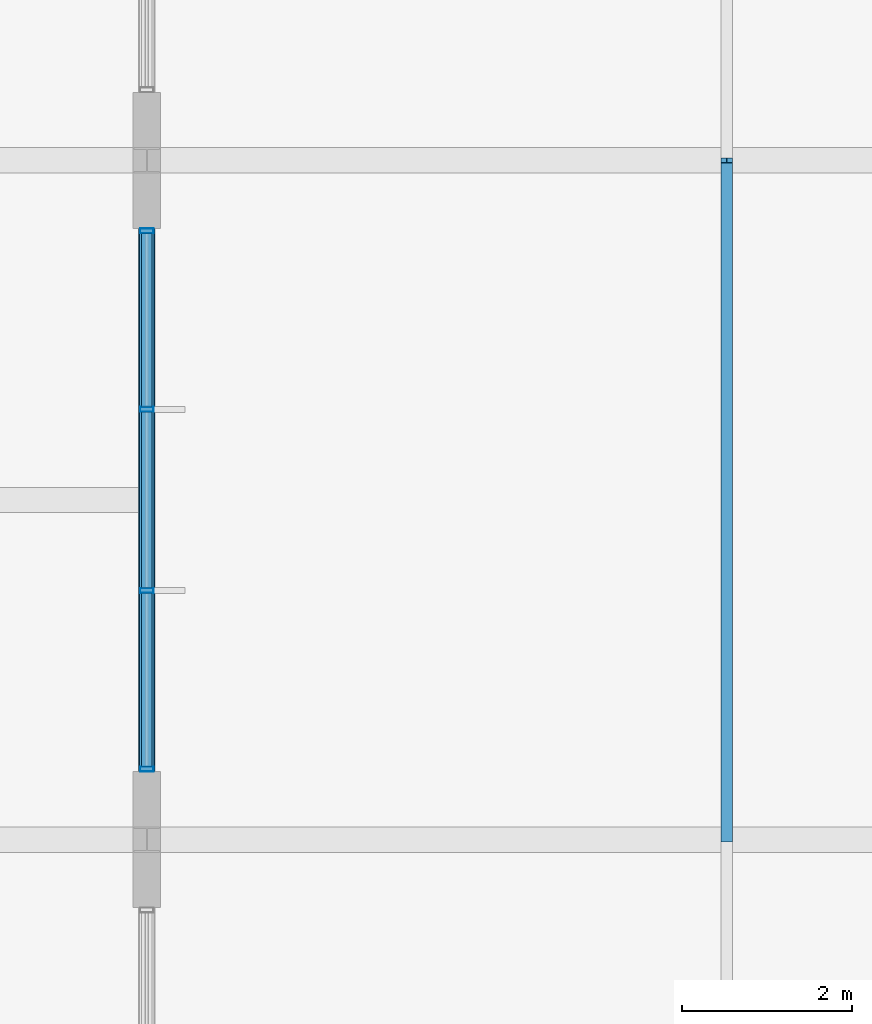
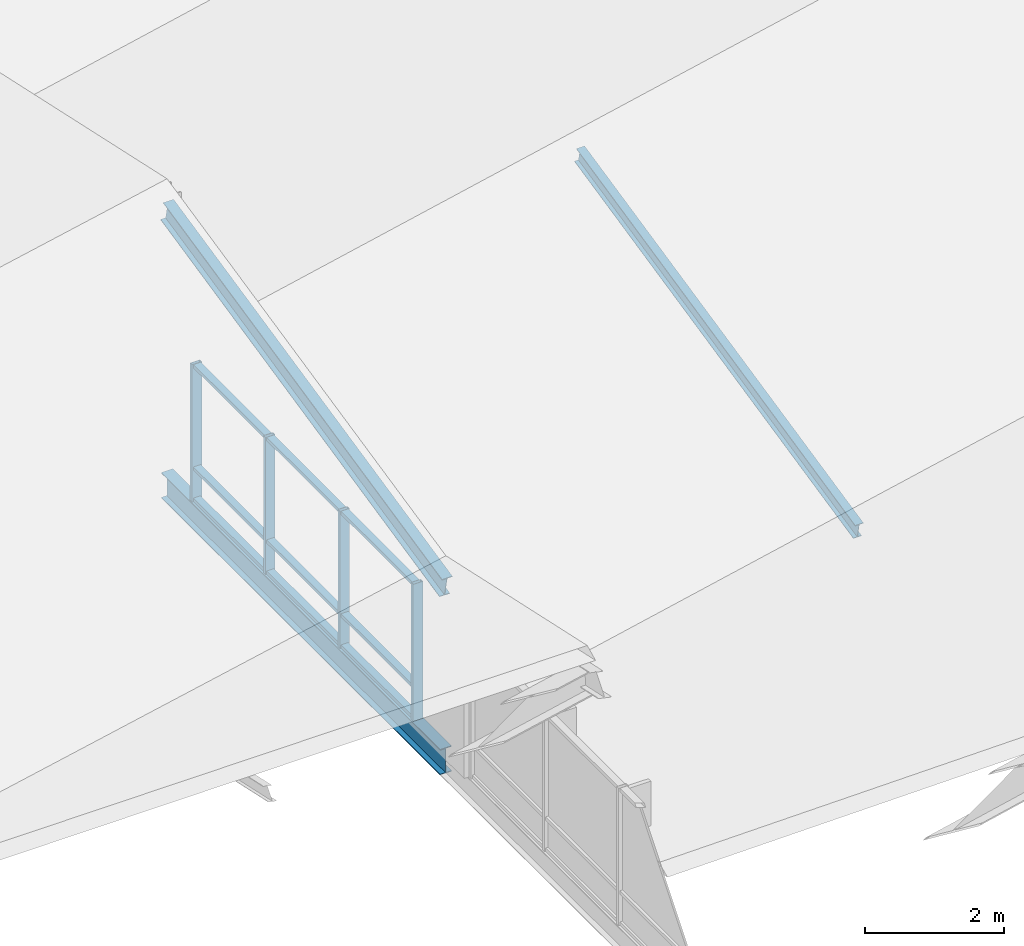
# One storey, part 46 of 109: 14 members, 2 beams, 1 element without a shape of its own.
"""IFC4 building model written with IfcOpenShell, lengths in metres."""

from ifc_helpers import new_model, si_unit, direction, frame, origin, origin_2d, place, context, subcontext, project, spatial, hollow_rectangle, i_section, extrude, material, material_profile, profile_set, type_object, element, aggregate, save


model = new_model("IFC4")

# Units and contexts
model_context = context("Model", 3, precision=1e-05, world=origin(), true_north=direction((0.0, 1.0)))
body_context = subcontext(model_context, "Body", "Model", "MODEL_VIEW")
ifc_project = project(units=[si_unit("LENGTHUNIT", "METRE"), si_unit("AREAUNIT", "SQUARE_METRE"), si_unit("VOLUMEUNIT", "CUBIC_METRE"), si_unit("PLANEANGLEUNIT", "RADIAN"), si_unit("MASSUNIT", "GRAM", prefix="KILO")], contexts=[model_context])

# Site, building, storey
site_placement = place(None, origin())
site = spatial("IfcSite", under=ifc_project, at=site_placement, CompositionType="ELEMENT")
building_placement = place(site_placement, origin())
building = spatial("IfcBuilding", under=site, at=building_placement, Name="Zavelmont Quarter", CompositionType="ELEMENT")
storey_placement = place(building_placement, frame((0.0, 0.0, 8.0)))
storey = spatial("IfcBuildingStorey", under=building, at=storey_placement, Name="L02", CompositionType="ELEMENT", Elevation=8.0)

# Beams
ifc_material_1 = material(Name="Steel S355", Category="steel")
ifc_material_profile_1 = material_profile(ifc_material_1, i_section(OverallWidth=0.18994140625, OverallDepth=0.449951171875, WebThickness=0.009521484375, FlangeThickness=0.0146484375, at=origin_2d()), Name="IPE 450")
ifc_profile_set_1 = profile_set([ifc_material_profile_1], Name="Steel S355")
beam_type_1 = type_object("IfcBeamType", Name="BM12", PredefinedType="BEAM", material=ifc_profile_set_1)
beam_1_placement = place(storey_placement, frame((147.300048828125, 54.0, -0.5849609375), z_axis=(0.0, 1.0, 0.0), x_axis=(-1.0, 0.0, 0.0)))
element("IfcBeam", 1, at=beam_1_placement, inside=storey, type_object=beam_type_1, Name="L02 beam BM12 22/J to 22/K", PredefinedType="BEAM", context=body_context, shape_type="SweptSolid", body=[
    extrude(i_section(OverallWidth=0.18994140625, OverallDepth=0.449951171875, WebThickness=0.009521484375, FlangeThickness=0.0146484375, at=origin_2d()), origin(), (0.0, 0.0, 1.0), 8.0),
])
ifc_material_profile_2 = material_profile(ifc_material_1, i_section(OverallWidth=0.169921875, OverallDepth=0.360107421875, WebThickness=0.008056640625, FlangeThickness=0.0126953125, at=origin_2d()), Name="IPE 360")
ifc_profile_set_2 = profile_set([ifc_material_profile_2], Name="Steel S355")
beam_type_2 = type_object("IfcBeamType", Name="BM13", PredefinedType="BEAM", material=ifc_profile_set_2)
beam_2_placement = place(storey_placement, frame((147.300048828125, 54.0, 2.4599609375), z_axis=(0.0, 0.976900017396, 0.213696878805), x_axis=(-1.0, 0.0, 0.0)))
element("IfcBeam", 2, at=beam_2_placement, inside=storey, type_object=beam_type_2, Name="L02 beam BM13 22/J to 22/K", PredefinedType="BEAM", context=body_context, shape_type="SweptSolid", body=[
    extrude(i_section(OverallWidth=0.169921875, OverallDepth=0.360107421875, WebThickness=0.008056640625, FlangeThickness=0.0126953125, at=origin_2d()), origin(), (0.0, 0.0, 1.0), 8.189208984375),
])

# Curtain wall, members
ifc_material_2 = material(Name="Thermally broken aluminium and double low-E safety glazing", Category="aluminium")
curtain_wall_type = type_object("IfcCurtainWallType", Name="CW-640X240", PredefinedType="NOTDEFINED", material=ifc_material_2)
curtain_wall_placement = place(storey_placement, origin())
curtain_wall = element("IfcCurtainWall", 3, at=curtain_wall_placement, inside=storey, type_object=curtain_wall_type, Name="L02 unitised curtain wall CW-640X240", PredefinedType="NOTDEFINED")
ifc_material_3 = material(Name="Powder-coated aluminium EN AW-6063-T6", Category="aluminium")
ifc_material_profile_3 = material_profile(ifc_material_3, hollow_rectangle(XDim=0.06005859375, YDim=0.159912109375, WallThickness=0.00390625, at=origin_2d()), Name="CWM60X160")
ifc_profile_set_3 = profile_set([ifc_material_profile_3], Name="Powder-coated aluminium EN AW-6063-T6")
member_type_1 = type_object("IfcMemberType", Name="CWM01", PredefinedType="MULLION", material=ifc_profile_set_3)
member_1_placement = place(storey_placement, frame((147.300048828125, 54.830078125, -0.360107421875), z_axis=(0.0, 0.0, 1.0), x_axis=(0.0, 1.0, 0.0)))
member_1 = element("IfcMember", 4, at=member_1_placement, type_object=member_type_1, Name="CW-640X240 mullion 1", PredefinedType="MULLION", context=body_context, shape_type="SweptSolid", body=[
    extrude(hollow_rectangle(XDim=0.06005859375, YDim=0.159912109375, WallThickness=0.00390625, at=origin_2d()), origin(), (0.0, 0.0, 1.0), 2.400146484375),
])
member_2_placement = place(storey_placement, frame((147.300048828125, 56.933349609375, -0.360107421875), z_axis=(0.0, 0.0, 1.0), x_axis=(0.0, 1.0, 0.0)))
member_2 = element("IfcMember", 5, at=member_2_placement, type_object=member_type_1, Name="CW-640X240 mullion 2", PredefinedType="MULLION", context=body_context, shape_type="SweptSolid", body=[
    extrude(hollow_rectangle(XDim=0.06005859375, YDim=0.159912109375, WallThickness=0.00390625, at=origin_2d()), origin(), (0.0, 0.0, 1.0), 2.400146484375),
])
member_3_placement = place(storey_placement, frame((147.300048828125, 59.066650390625, -0.360107421875), z_axis=(0.0, 0.0, 1.0), x_axis=(0.0, 1.0, 0.0)))
member_3 = element("IfcMember", 6, at=member_3_placement, type_object=member_type_1, Name="CW-640X240 mullion 3", PredefinedType="MULLION", context=body_context, shape_type="SweptSolid", body=[
    extrude(hollow_rectangle(XDim=0.06005859375, YDim=0.159912109375, WallThickness=0.00390625, at=origin_2d()), origin(), (0.0, 0.0, 1.0), 2.400146484375),
])
member_4_placement = place(storey_placement, frame((147.300048828125, 61.169921875, -0.360107421875), z_axis=(0.0, 0.0, 1.0), x_axis=(0.0, 1.0, 0.0)))
member_4 = element("IfcMember", 7, at=member_4_placement, type_object=member_type_1, Name="CW-640X240 mullion 4", PredefinedType="MULLION", context=body_context, shape_type="SweptSolid", body=[
    extrude(hollow_rectangle(XDim=0.06005859375, YDim=0.159912109375, WallThickness=0.00390625, at=origin_2d()), origin(), (0.0, 0.0, 1.0), 2.400146484375),
])
ifc_material_profile_4 = material_profile(ifc_material_3, hollow_rectangle(XDim=0.1201171875, YDim=0.06005859375, WallThickness=0.00390625, at=origin_2d()), Name="CWT60X120")
ifc_profile_set_4 = profile_set([ifc_material_profile_4], Name="Powder-coated aluminium EN AW-6063-T6")
member_type_2 = type_object("IfcMemberType", Name="CWT01", PredefinedType="NOTDEFINED", material=ifc_profile_set_4)
member_5_placement = place(storey_placement, frame((147.300048828125, 54.860107421875, -0.330078125), z_axis=(0.0, 1.0, 0.0), x_axis=(-1.0, 0.0, 0.0)))
member_5 = element("IfcMember", 8, at=member_5_placement, type_object=member_type_2, Name="CW-640X240 transom 1.1", ObjectType="TRANSOM", PredefinedType="USERDEFINED", context=body_context, shape_type="SweptSolid", body=[
    extrude(hollow_rectangle(XDim=0.1201171875, YDim=0.06005859375, WallThickness=0.00390625, at=origin_2d()), origin(), (0.0, 0.0, 1.0), 2.043212890625),
])
member_6_placement = place(storey_placement, frame((147.300048828125, 54.860107421875, 0.216064453125), z_axis=(0.0, 1.0, 0.0), x_axis=(-1.0, 0.0, 0.0)))
member_6 = element("IfcMember", 9, at=member_6_placement, type_object=member_type_2, Name="CW-640X240 transom 1.2", ObjectType="TRANSOM", PredefinedType="USERDEFINED", context=body_context, shape_type="SweptSolid", body=[
    extrude(hollow_rectangle(XDim=0.1201171875, YDim=0.06005859375, WallThickness=0.00390625, at=origin_2d()), origin(), (0.0, 0.0, 1.0), 2.043212890625),
])
member_7_placement = place(storey_placement, frame((147.300048828125, 54.860107421875, 2.010009765625), z_axis=(0.0, 1.0, 0.0), x_axis=(-1.0, 0.0, 0.0)))
member_7 = element("IfcMember", 10, at=member_7_placement, type_object=member_type_2, Name="CW-640X240 transom 1.3", ObjectType="TRANSOM", PredefinedType="USERDEFINED", context=body_context, shape_type="SweptSolid", body=[
    extrude(hollow_rectangle(XDim=0.1201171875, YDim=0.06005859375, WallThickness=0.00390625, at=origin_2d()), origin(), (0.0, 0.0, 1.0), 2.043212890625),
])
member_8_placement = place(storey_placement, frame((147.300048828125, 56.96337890625, -0.330078125), z_axis=(0.0, 1.0, 0.0), x_axis=(-1.0, 0.0, 0.0)))
member_8 = element("IfcMember", 11, at=member_8_placement, type_object=member_type_2, Name="CW-640X240 transom 2.1", ObjectType="TRANSOM", PredefinedType="USERDEFINED", context=body_context, shape_type="SweptSolid", body=[
    extrude(hollow_rectangle(XDim=0.1201171875, YDim=0.06005859375, WallThickness=0.00390625, at=origin_2d()), origin(), (0.0, 0.0, 1.0), 2.0732421875),
])
member_9_placement = place(storey_placement, frame((147.300048828125, 56.96337890625, 0.216064453125), z_axis=(0.0, 1.0, 0.0), x_axis=(-1.0, 0.0, 0.0)))
member_9 = element("IfcMember", 12, at=member_9_placement, type_object=member_type_2, Name="CW-640X240 transom 2.2", ObjectType="TRANSOM", PredefinedType="USERDEFINED", context=body_context, shape_type="SweptSolid", body=[
    extrude(hollow_rectangle(XDim=0.1201171875, YDim=0.06005859375, WallThickness=0.00390625, at=origin_2d()), origin(), (0.0, 0.0, 1.0), 2.0732421875),
])
member_10_placement = place(storey_placement, frame((147.300048828125, 56.96337890625, 2.010009765625), z_axis=(0.0, 1.0, 0.0), x_axis=(-1.0, 0.0, 0.0)))
member_10 = element("IfcMember", 13, at=member_10_placement, type_object=member_type_2, Name="CW-640X240 transom 2.3", ObjectType="TRANSOM", PredefinedType="USERDEFINED", context=body_context, shape_type="SweptSolid", body=[
    extrude(hollow_rectangle(XDim=0.1201171875, YDim=0.06005859375, WallThickness=0.00390625, at=origin_2d()), origin(), (0.0, 0.0, 1.0), 2.0732421875),
])
member_11_placement = place(storey_placement, frame((147.300048828125, 59.0966796875, -0.330078125), z_axis=(0.0, 1.0, 0.0), x_axis=(-1.0, 0.0, 0.0)))
member_11 = element("IfcMember", 14, at=member_11_placement, type_object=member_type_2, Name="CW-640X240 transom 3.1", ObjectType="TRANSOM", PredefinedType="USERDEFINED", context=body_context, shape_type="SweptSolid", body=[
    extrude(hollow_rectangle(XDim=0.1201171875, YDim=0.06005859375, WallThickness=0.00390625, at=origin_2d()), origin(), (0.0, 0.0, 1.0), 2.043212890625),
])
member_12_placement = place(storey_placement, frame((147.300048828125, 59.0966796875, 0.216064453125), z_axis=(0.0, 1.0, 0.0), x_axis=(-1.0, 0.0, 0.0)))
member_12 = element("IfcMember", 15, at=member_12_placement, type_object=member_type_2, Name="CW-640X240 transom 3.2", ObjectType="TRANSOM", PredefinedType="USERDEFINED", context=body_context, shape_type="SweptSolid", body=[
    extrude(hollow_rectangle(XDim=0.1201171875, YDim=0.06005859375, WallThickness=0.00390625, at=origin_2d()), origin(), (0.0, 0.0, 1.0), 2.043212890625),
])
member_13_placement = place(storey_placement, frame((147.300048828125, 59.0966796875, 2.010009765625), z_axis=(0.0, 1.0, 0.0), x_axis=(-1.0, 0.0, 0.0)))
member_13 = element("IfcMember", 16, at=member_13_placement, type_object=member_type_2, Name="CW-640X240 transom 3.3", ObjectType="TRANSOM", PredefinedType="USERDEFINED", context=body_context, shape_type="SweptSolid", body=[
    extrude(hollow_rectangle(XDim=0.1201171875, YDim=0.06005859375, WallThickness=0.00390625, at=origin_2d()), origin(), (0.0, 0.0, 1.0), 2.043212890625),
])
aggregate(curtain_wall, [member_1, member_2, member_3, member_4, member_5, member_6, member_7, member_8, member_9, member_10, member_11, member_12, member_13])

# Member
ifc_material_profile_5 = material_profile(ifc_material_1, i_section(OverallWidth=0.135009765625, OverallDepth=0.27001953125, WebThickness=0.006591796875, FlangeThickness=0.01025390625, at=origin_2d()), Name="IPE 270")
ifc_profile_set_5 = profile_set([ifc_material_profile_5], Name="Steel S355")
member_type_3 = type_object("IfcMemberType", Name="PR01", PredefinedType="PURLIN", material=ifc_profile_set_5)
member_14_placement = place(storey_placement, frame((154.131103515625, 54.0, 1.04638671875), z_axis=(0.0, 0.976900017396, 0.213696878805), x_axis=(-1.0, 0.0, 0.0)))
element("IfcMember", 17, at=member_14_placement, inside=storey, type_object=member_type_3, Name="L02 member PR01 23/J to 23/K", PredefinedType="PURLIN", context=body_context, shape_type="SweptSolid", body=[
    extrude(i_section(OverallWidth=0.135009765625, OverallDepth=0.27001953125, WebThickness=0.006591796875, FlangeThickness=0.01025390625, at=origin_2d()), origin(), (0.0, 0.0, 1.0), 8.189208984375),
])

save(model, "model.ifc")
